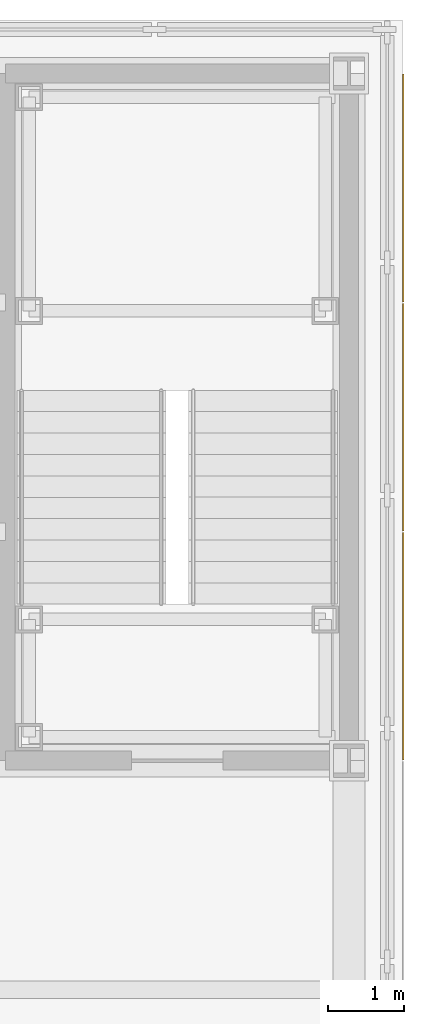
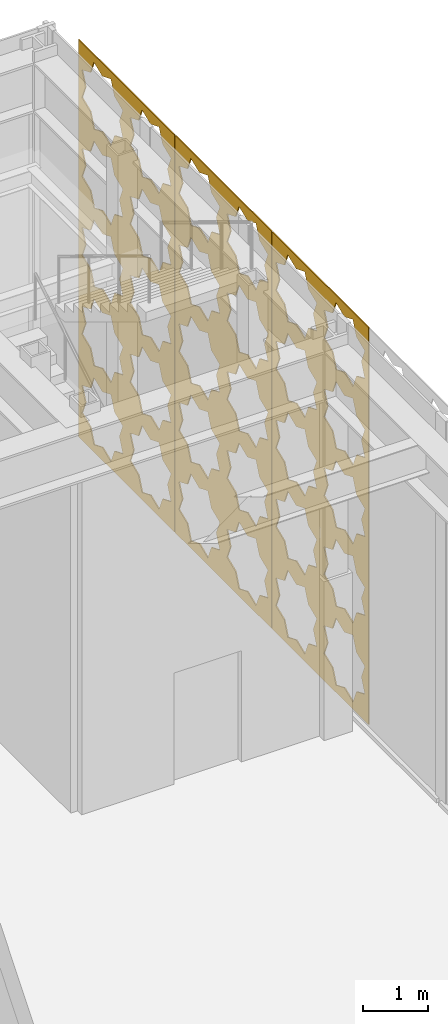
# One storey, part 34 of 34: 3 shading devices.
"""IFC4 building model written with IfcOpenShell, lengths in metres."""

from ifc_helpers import new_model, si_unit, direction, frame, origin, place, context, subcontext, project, spatial, polyline, outline, extrude, material, layer, layer_set, type_object, element, save


model = new_model("IFC4")

# Units and contexts
model_context = context("Model", 3, precision=1e-05, world=origin(), true_north=direction((0.0, 1.0)))
body_context = subcontext(model_context, "Body", "Model", "MODEL_VIEW")
ifc_project = project(units=[si_unit("LENGTHUNIT", "METRE"), si_unit("AREAUNIT", "SQUARE_METRE"), si_unit("VOLUMEUNIT", "CUBIC_METRE"), si_unit("PLANEANGLEUNIT", "RADIAN"), si_unit("MASSUNIT", "GRAM", prefix="KILO")], contexts=[model_context])

# Site, building, storey
site_placement = place(None, origin())
site = spatial("IfcSite", under=ifc_project, at=site_placement, CompositionType="ELEMENT")
building_placement = place(site_placement, origin())
building = spatial("IfcBuilding", under=site, at=building_placement, Name="Chuquiago Exchange Tower", CompositionType="ELEMENT")
storey_placement = place(building_placement, frame((0.0, 0.0, 6.0)))
storey = spatial("IfcBuildingStorey", under=building, at=storey_placement, Name="L01", CompositionType="ELEMENT", Elevation=6.0)

# Shading devices
ifc_material = material(Name="Pale metal, perforated in an eight-point star pattern", Category="aluminium")
ifc_layer = layer(ifc_material, 0.02001953125)
ifc_layer_set = layer_set([ifc_layer], Name="SC1 mashrabiya screen 20")
shading_device_type = type_object("IfcShadingDeviceType", Name="SC1 mashrabiya screen 20", PredefinedType="SHUTTER", material=ifc_layer_set)
shading_device_1_placement = place(storey_placement, frame((54.699951171875, 36.010009765625, -0.199951171875), z_axis=(0.0, 0.0, 1.0), x_axis=(0.0, 1.0, 0.0)))
element("IfcShadingDevice", 1, at=shading_device_1_placement, inside=storey, type_object=shading_device_type, Name="Mashrabiya screen L01 E 19", PredefinedType="SHUTTER", context=body_context, shape_type="SweptSolid", body=[
    extrude(outline(polyline([(0.0, 0.0), (2.97998046875, 0.0), (2.97998046875, 7.5), (0.0, 7.5), (0.0, 0.0)]), holes=[polyline([(1.26953125, 0.77001953125), (1.378173828125, 1.0322265625), (1.115966796875, 1.140869140625), (1.00732421875, 1.403076171875), (0.7451171875, 1.29443359375), (0.482666015625, 1.403076171875), (0.3740234375, 1.140869140625), (0.11181640625, 1.0322265625), (0.220458984375, 0.77001953125), (0.11181640625, 0.507568359375), (0.3740234375, 0.39892578125), (0.482666015625, 0.13671875), (0.7451171875, 0.245361328125), (1.00732421875, 0.13671875), (1.115966796875, 0.39892578125), (1.378173828125, 0.507568359375), (1.26953125, 0.77001953125)]), polyline([(2.759521484375, 0.77001953125), (2.8681640625, 1.0322265625), (2.60595703125, 1.140869140625), (2.497314453125, 1.403076171875), (2.235107421875, 1.29443359375), (1.97265625, 1.403076171875), (1.864013671875, 1.140869140625), (1.601806640625, 1.0322265625), (1.71044921875, 0.77001953125), (1.601806640625, 0.507568359375), (1.864013671875, 0.39892578125), (1.97265625, 0.13671875), (2.235107421875, 0.245361328125), (2.497314453125, 0.13671875), (2.60595703125, 0.39892578125), (2.8681640625, 0.507568359375), (2.759521484375, 0.77001953125)]), polyline([(1.26953125, 2.260009765625), (1.378173828125, 2.522216796875), (1.115966796875, 2.630859375), (1.00732421875, 2.89306640625), (0.7451171875, 2.78466796875), (0.482666015625, 2.89306640625), (0.3740234375, 2.630859375), (0.11181640625, 2.522216796875), (0.220458984375, 2.260009765625), (0.11181640625, 1.99755859375), (0.3740234375, 1.888916015625), (0.482666015625, 1.626708984375), (0.7451171875, 1.7353515625), (1.00732421875, 1.626708984375), (1.115966796875, 1.888916015625), (1.378173828125, 1.99755859375), (1.26953125, 2.260009765625)]), polyline([(2.759521484375, 2.260009765625), (2.8681640625, 2.522216796875), (2.60595703125, 2.630859375), (2.497314453125, 2.89306640625), (2.235107421875, 2.78466796875), (1.97265625, 2.89306640625), (1.864013671875, 2.630859375), (1.601806640625, 2.522216796875), (1.71044921875, 2.260009765625), (1.601806640625, 1.99755859375), (1.864013671875, 1.888916015625), (1.97265625, 1.626708984375), (2.235107421875, 1.7353515625), (2.497314453125, 1.626708984375), (2.60595703125, 1.888916015625), (2.8681640625, 1.99755859375), (2.759521484375, 2.260009765625)]), polyline([(1.26953125, 3.75), (1.378173828125, 4.01220703125), (1.115966796875, 4.120849609375), (1.00732421875, 4.383056640625), (0.7451171875, 4.274658203125), (0.482666015625, 4.383056640625), (0.3740234375, 4.120849609375), (0.11181640625, 4.01220703125), (0.220458984375, 3.75), (0.11181640625, 3.487548828125), (0.3740234375, 3.37890625), (0.482666015625, 3.11669921875), (0.7451171875, 3.225341796875), (1.00732421875, 3.11669921875), (1.115966796875, 3.37890625), (1.378173828125, 3.487548828125), (1.26953125, 3.75)]), polyline([(2.759521484375, 3.75), (2.8681640625, 4.01220703125), (2.60595703125, 4.120849609375), (2.497314453125, 4.383056640625), (2.235107421875, 4.274658203125), (1.97265625, 4.383056640625), (1.864013671875, 4.120849609375), (1.601806640625, 4.01220703125), (1.71044921875, 3.75), (1.601806640625, 3.487548828125), (1.864013671875, 3.37890625), (1.97265625, 3.11669921875), (2.235107421875, 3.225341796875), (2.497314453125, 3.11669921875), (2.60595703125, 3.37890625), (2.8681640625, 3.487548828125), (2.759521484375, 3.75)]), polyline([(1.26953125, 5.239990234375), (1.378173828125, 5.502197265625), (1.115966796875, 5.61083984375), (1.00732421875, 5.873046875), (0.7451171875, 5.7646484375), (0.482666015625, 5.873046875), (0.3740234375, 5.61083984375), (0.11181640625, 5.502197265625), (0.220458984375, 5.239990234375), (0.11181640625, 4.9775390625), (0.3740234375, 4.868896484375), (0.482666015625, 4.606689453125), (0.7451171875, 4.71533203125), (1.00732421875, 4.606689453125), (1.115966796875, 4.868896484375), (1.378173828125, 4.9775390625), (1.26953125, 5.239990234375)]), polyline([(2.759521484375, 5.239990234375), (2.8681640625, 5.502197265625), (2.60595703125, 5.61083984375), (2.497314453125, 5.873046875), (2.235107421875, 5.7646484375), (1.97265625, 5.873046875), (1.864013671875, 5.61083984375), (1.601806640625, 5.502197265625), (1.71044921875, 5.239990234375), (1.601806640625, 4.9775390625), (1.864013671875, 4.868896484375), (1.97265625, 4.606689453125), (2.235107421875, 4.71533203125), (2.497314453125, 4.606689453125), (2.60595703125, 4.868896484375), (2.8681640625, 4.9775390625), (2.759521484375, 5.239990234375)]), polyline([(1.26953125, 6.72998046875), (1.378173828125, 6.9921875), (1.115966796875, 7.100830078125), (1.00732421875, 7.363037109375), (0.7451171875, 7.254638671875), (0.482666015625, 7.363037109375), (0.3740234375, 7.100830078125), (0.11181640625, 6.9921875), (0.220458984375, 6.72998046875), (0.11181640625, 6.467529296875), (0.3740234375, 6.35888671875), (0.482666015625, 6.0966796875), (0.7451171875, 6.205322265625), (1.00732421875, 6.0966796875), (1.115966796875, 6.35888671875), (1.378173828125, 6.467529296875), (1.26953125, 6.72998046875)]), polyline([(2.759521484375, 6.72998046875), (2.8681640625, 6.9921875), (2.60595703125, 7.100830078125), (2.497314453125, 7.363037109375), (2.235107421875, 7.254638671875), (1.97265625, 7.363037109375), (1.864013671875, 7.100830078125), (1.601806640625, 6.9921875), (1.71044921875, 6.72998046875), (1.601806640625, 6.467529296875), (1.864013671875, 6.35888671875), (1.97265625, 6.0966796875), (2.235107421875, 6.205322265625), (2.497314453125, 6.0966796875), (2.60595703125, 6.35888671875), (2.8681640625, 6.467529296875), (2.759521484375, 6.72998046875)])]), frame((0.0, 0.0, 0.0), z_axis=(0.0, -1.0, 0.0), x_axis=(1.0, 0.0, 0.0)), (0.0, 0.0, 1.0), 0.02001953125),
])
shading_device_2_placement = place(storey_placement, frame((54.699951171875, 39.010009765625, -0.199951171875), z_axis=(0.0, 0.0, 1.0), x_axis=(0.0, 1.0, 0.0)))
element("IfcShadingDevice", 2, at=shading_device_2_placement, inside=storey, type_object=shading_device_type, Name="Mashrabiya screen L01 E 20", PredefinedType="SHUTTER", context=body_context, shape_type="SweptSolid", body=[
    extrude(outline(polyline([(0.0, 0.0), (2.97998046875, 0.0), (2.97998046875, 7.5), (0.0, 7.5), (0.0, 0.0)]), holes=[polyline([(1.26953125, 0.77001953125), (1.378173828125, 1.0322265625), (1.115966796875, 1.140869140625), (1.00732421875, 1.403076171875), (0.7451171875, 1.29443359375), (0.482666015625, 1.403076171875), (0.3740234375, 1.140869140625), (0.11181640625, 1.0322265625), (0.220458984375, 0.77001953125), (0.11181640625, 0.507568359375), (0.3740234375, 0.39892578125), (0.482666015625, 0.13671875), (0.7451171875, 0.245361328125), (1.00732421875, 0.13671875), (1.115966796875, 0.39892578125), (1.378173828125, 0.507568359375), (1.26953125, 0.77001953125)]), polyline([(2.759521484375, 0.77001953125), (2.8681640625, 1.0322265625), (2.60595703125, 1.140869140625), (2.497314453125, 1.403076171875), (2.235107421875, 1.29443359375), (1.97265625, 1.403076171875), (1.864013671875, 1.140869140625), (1.601806640625, 1.0322265625), (1.71044921875, 0.77001953125), (1.601806640625, 0.507568359375), (1.864013671875, 0.39892578125), (1.97265625, 0.13671875), (2.235107421875, 0.245361328125), (2.497314453125, 0.13671875), (2.60595703125, 0.39892578125), (2.8681640625, 0.507568359375), (2.759521484375, 0.77001953125)]), polyline([(1.26953125, 2.260009765625), (1.378173828125, 2.522216796875), (1.115966796875, 2.630859375), (1.00732421875, 2.89306640625), (0.7451171875, 2.78466796875), (0.482666015625, 2.89306640625), (0.3740234375, 2.630859375), (0.11181640625, 2.522216796875), (0.220458984375, 2.260009765625), (0.11181640625, 1.99755859375), (0.3740234375, 1.888916015625), (0.482666015625, 1.626708984375), (0.7451171875, 1.7353515625), (1.00732421875, 1.626708984375), (1.115966796875, 1.888916015625), (1.378173828125, 1.99755859375), (1.26953125, 2.260009765625)]), polyline([(2.759521484375, 2.260009765625), (2.8681640625, 2.522216796875), (2.60595703125, 2.630859375), (2.497314453125, 2.89306640625), (2.235107421875, 2.78466796875), (1.97265625, 2.89306640625), (1.864013671875, 2.630859375), (1.601806640625, 2.522216796875), (1.71044921875, 2.260009765625), (1.601806640625, 1.99755859375), (1.864013671875, 1.888916015625), (1.97265625, 1.626708984375), (2.235107421875, 1.7353515625), (2.497314453125, 1.626708984375), (2.60595703125, 1.888916015625), (2.8681640625, 1.99755859375), (2.759521484375, 2.260009765625)]), polyline([(1.26953125, 3.75), (1.378173828125, 4.01220703125), (1.115966796875, 4.120849609375), (1.00732421875, 4.383056640625), (0.7451171875, 4.274658203125), (0.482666015625, 4.383056640625), (0.3740234375, 4.120849609375), (0.11181640625, 4.01220703125), (0.220458984375, 3.75), (0.11181640625, 3.487548828125), (0.3740234375, 3.37890625), (0.482666015625, 3.11669921875), (0.7451171875, 3.225341796875), (1.00732421875, 3.11669921875), (1.115966796875, 3.37890625), (1.378173828125, 3.487548828125), (1.26953125, 3.75)]), polyline([(2.759521484375, 3.75), (2.8681640625, 4.01220703125), (2.60595703125, 4.120849609375), (2.497314453125, 4.383056640625), (2.235107421875, 4.274658203125), (1.97265625, 4.383056640625), (1.864013671875, 4.120849609375), (1.601806640625, 4.01220703125), (1.71044921875, 3.75), (1.601806640625, 3.487548828125), (1.864013671875, 3.37890625), (1.97265625, 3.11669921875), (2.235107421875, 3.225341796875), (2.497314453125, 3.11669921875), (2.60595703125, 3.37890625), (2.8681640625, 3.487548828125), (2.759521484375, 3.75)]), polyline([(1.26953125, 5.239990234375), (1.378173828125, 5.502197265625), (1.115966796875, 5.61083984375), (1.00732421875, 5.873046875), (0.7451171875, 5.7646484375), (0.482666015625, 5.873046875), (0.3740234375, 5.61083984375), (0.11181640625, 5.502197265625), (0.220458984375, 5.239990234375), (0.11181640625, 4.9775390625), (0.3740234375, 4.868896484375), (0.482666015625, 4.606689453125), (0.7451171875, 4.71533203125), (1.00732421875, 4.606689453125), (1.115966796875, 4.868896484375), (1.378173828125, 4.9775390625), (1.26953125, 5.239990234375)]), polyline([(2.759521484375, 5.239990234375), (2.8681640625, 5.502197265625), (2.60595703125, 5.61083984375), (2.497314453125, 5.873046875), (2.235107421875, 5.7646484375), (1.97265625, 5.873046875), (1.864013671875, 5.61083984375), (1.601806640625, 5.502197265625), (1.71044921875, 5.239990234375), (1.601806640625, 4.9775390625), (1.864013671875, 4.868896484375), (1.97265625, 4.606689453125), (2.235107421875, 4.71533203125), (2.497314453125, 4.606689453125), (2.60595703125, 4.868896484375), (2.8681640625, 4.9775390625), (2.759521484375, 5.239990234375)]), polyline([(1.26953125, 6.72998046875), (1.378173828125, 6.9921875), (1.115966796875, 7.100830078125), (1.00732421875, 7.363037109375), (0.7451171875, 7.254638671875), (0.482666015625, 7.363037109375), (0.3740234375, 7.100830078125), (0.11181640625, 6.9921875), (0.220458984375, 6.72998046875), (0.11181640625, 6.467529296875), (0.3740234375, 6.35888671875), (0.482666015625, 6.0966796875), (0.7451171875, 6.205322265625), (1.00732421875, 6.0966796875), (1.115966796875, 6.35888671875), (1.378173828125, 6.467529296875), (1.26953125, 6.72998046875)]), polyline([(2.759521484375, 6.72998046875), (2.8681640625, 6.9921875), (2.60595703125, 7.100830078125), (2.497314453125, 7.363037109375), (2.235107421875, 7.254638671875), (1.97265625, 7.363037109375), (1.864013671875, 7.100830078125), (1.601806640625, 6.9921875), (1.71044921875, 6.72998046875), (1.601806640625, 6.467529296875), (1.864013671875, 6.35888671875), (1.97265625, 6.0966796875), (2.235107421875, 6.205322265625), (2.497314453125, 6.0966796875), (2.60595703125, 6.35888671875), (2.8681640625, 6.467529296875), (2.759521484375, 6.72998046875)])]), frame((0.0, 0.0, 0.0), z_axis=(0.0, -1.0, 0.0), x_axis=(1.0, 0.0, 0.0)), (0.0, 0.0, 1.0), 0.02001953125),
])
shading_device_3_placement = place(storey_placement, frame((54.699951171875, 42.010009765625, -0.199951171875), z_axis=(0.0, 0.0, 1.0), x_axis=(0.0, 1.0, 0.0)))
element("IfcShadingDevice", 3, at=shading_device_3_placement, inside=storey, type_object=shading_device_type, Name="Mashrabiya screen L01 E 21", PredefinedType="SHUTTER", context=body_context, shape_type="SweptSolid", body=[
    extrude(outline(polyline([(0.0, 0.0), (2.97998046875, 0.0), (2.97998046875, 7.5), (0.0, 7.5), (0.0, 0.0)]), holes=[polyline([(1.26953125, 0.77001953125), (1.378173828125, 1.0322265625), (1.115966796875, 1.140869140625), (1.00732421875, 1.403076171875), (0.7451171875, 1.29443359375), (0.482666015625, 1.403076171875), (0.3740234375, 1.140869140625), (0.11181640625, 1.0322265625), (0.220458984375, 0.77001953125), (0.11181640625, 0.507568359375), (0.3740234375, 0.39892578125), (0.482666015625, 0.13671875), (0.7451171875, 0.245361328125), (1.00732421875, 0.13671875), (1.115966796875, 0.39892578125), (1.378173828125, 0.507568359375), (1.26953125, 0.77001953125)]), polyline([(2.759521484375, 0.77001953125), (2.8681640625, 1.0322265625), (2.60595703125, 1.140869140625), (2.497314453125, 1.403076171875), (2.235107421875, 1.29443359375), (1.97265625, 1.403076171875), (1.864013671875, 1.140869140625), (1.601806640625, 1.0322265625), (1.71044921875, 0.77001953125), (1.601806640625, 0.507568359375), (1.864013671875, 0.39892578125), (1.97265625, 0.13671875), (2.235107421875, 0.245361328125), (2.497314453125, 0.13671875), (2.60595703125, 0.39892578125), (2.8681640625, 0.507568359375), (2.759521484375, 0.77001953125)]), polyline([(1.26953125, 2.260009765625), (1.378173828125, 2.522216796875), (1.115966796875, 2.630859375), (1.00732421875, 2.89306640625), (0.7451171875, 2.78466796875), (0.482666015625, 2.89306640625), (0.3740234375, 2.630859375), (0.11181640625, 2.522216796875), (0.220458984375, 2.260009765625), (0.11181640625, 1.99755859375), (0.3740234375, 1.888916015625), (0.482666015625, 1.626708984375), (0.7451171875, 1.7353515625), (1.00732421875, 1.626708984375), (1.115966796875, 1.888916015625), (1.378173828125, 1.99755859375), (1.26953125, 2.260009765625)]), polyline([(2.759521484375, 2.260009765625), (2.8681640625, 2.522216796875), (2.60595703125, 2.630859375), (2.497314453125, 2.89306640625), (2.235107421875, 2.78466796875), (1.97265625, 2.89306640625), (1.864013671875, 2.630859375), (1.601806640625, 2.522216796875), (1.71044921875, 2.260009765625), (1.601806640625, 1.99755859375), (1.864013671875, 1.888916015625), (1.97265625, 1.626708984375), (2.235107421875, 1.7353515625), (2.497314453125, 1.626708984375), (2.60595703125, 1.888916015625), (2.8681640625, 1.99755859375), (2.759521484375, 2.260009765625)]), polyline([(1.26953125, 3.75), (1.378173828125, 4.01220703125), (1.115966796875, 4.120849609375), (1.00732421875, 4.383056640625), (0.7451171875, 4.274658203125), (0.482666015625, 4.383056640625), (0.3740234375, 4.120849609375), (0.11181640625, 4.01220703125), (0.220458984375, 3.75), (0.11181640625, 3.487548828125), (0.3740234375, 3.37890625), (0.482666015625, 3.11669921875), (0.7451171875, 3.225341796875), (1.00732421875, 3.11669921875), (1.115966796875, 3.37890625), (1.378173828125, 3.487548828125), (1.26953125, 3.75)]), polyline([(2.759521484375, 3.75), (2.8681640625, 4.01220703125), (2.60595703125, 4.120849609375), (2.497314453125, 4.383056640625), (2.235107421875, 4.274658203125), (1.97265625, 4.383056640625), (1.864013671875, 4.120849609375), (1.601806640625, 4.01220703125), (1.71044921875, 3.75), (1.601806640625, 3.487548828125), (1.864013671875, 3.37890625), (1.97265625, 3.11669921875), (2.235107421875, 3.225341796875), (2.497314453125, 3.11669921875), (2.60595703125, 3.37890625), (2.8681640625, 3.487548828125), (2.759521484375, 3.75)]), polyline([(1.26953125, 5.239990234375), (1.378173828125, 5.502197265625), (1.115966796875, 5.61083984375), (1.00732421875, 5.873046875), (0.7451171875, 5.7646484375), (0.482666015625, 5.873046875), (0.3740234375, 5.61083984375), (0.11181640625, 5.502197265625), (0.220458984375, 5.239990234375), (0.11181640625, 4.9775390625), (0.3740234375, 4.868896484375), (0.482666015625, 4.606689453125), (0.7451171875, 4.71533203125), (1.00732421875, 4.606689453125), (1.115966796875, 4.868896484375), (1.378173828125, 4.9775390625), (1.26953125, 5.239990234375)]), polyline([(2.759521484375, 5.239990234375), (2.8681640625, 5.502197265625), (2.60595703125, 5.61083984375), (2.497314453125, 5.873046875), (2.235107421875, 5.7646484375), (1.97265625, 5.873046875), (1.864013671875, 5.61083984375), (1.601806640625, 5.502197265625), (1.71044921875, 5.239990234375), (1.601806640625, 4.9775390625), (1.864013671875, 4.868896484375), (1.97265625, 4.606689453125), (2.235107421875, 4.71533203125), (2.497314453125, 4.606689453125), (2.60595703125, 4.868896484375), (2.8681640625, 4.9775390625), (2.759521484375, 5.239990234375)]), polyline([(1.26953125, 6.72998046875), (1.378173828125, 6.9921875), (1.115966796875, 7.100830078125), (1.00732421875, 7.363037109375), (0.7451171875, 7.254638671875), (0.482666015625, 7.363037109375), (0.3740234375, 7.100830078125), (0.11181640625, 6.9921875), (0.220458984375, 6.72998046875), (0.11181640625, 6.467529296875), (0.3740234375, 6.35888671875), (0.482666015625, 6.0966796875), (0.7451171875, 6.205322265625), (1.00732421875, 6.0966796875), (1.115966796875, 6.35888671875), (1.378173828125, 6.467529296875), (1.26953125, 6.72998046875)]), polyline([(2.759521484375, 6.72998046875), (2.8681640625, 6.9921875), (2.60595703125, 7.100830078125), (2.497314453125, 7.363037109375), (2.235107421875, 7.254638671875), (1.97265625, 7.363037109375), (1.864013671875, 7.100830078125), (1.601806640625, 6.9921875), (1.71044921875, 6.72998046875), (1.601806640625, 6.467529296875), (1.864013671875, 6.35888671875), (1.97265625, 6.0966796875), (2.235107421875, 6.205322265625), (2.497314453125, 6.0966796875), (2.60595703125, 6.35888671875), (2.8681640625, 6.467529296875), (2.759521484375, 6.72998046875)])]), frame((0.0, 0.0, 0.0), z_axis=(0.0, -1.0, 0.0), x_axis=(1.0, 0.0, 0.0)), (0.0, 0.0, 1.0), 0.02001953125),
])

save(model, "model.ifc")
